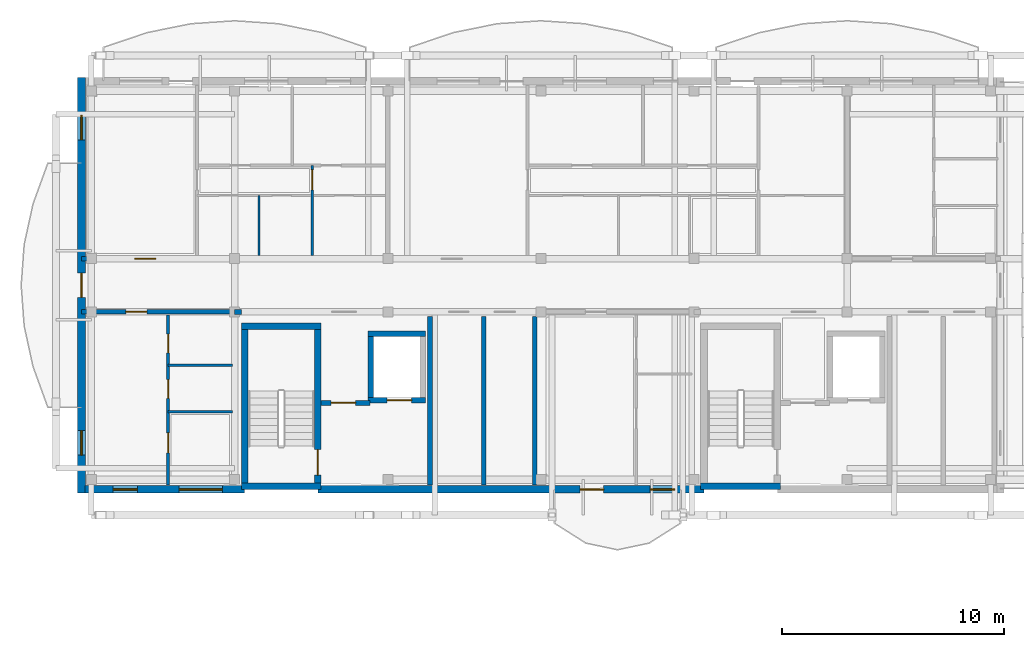
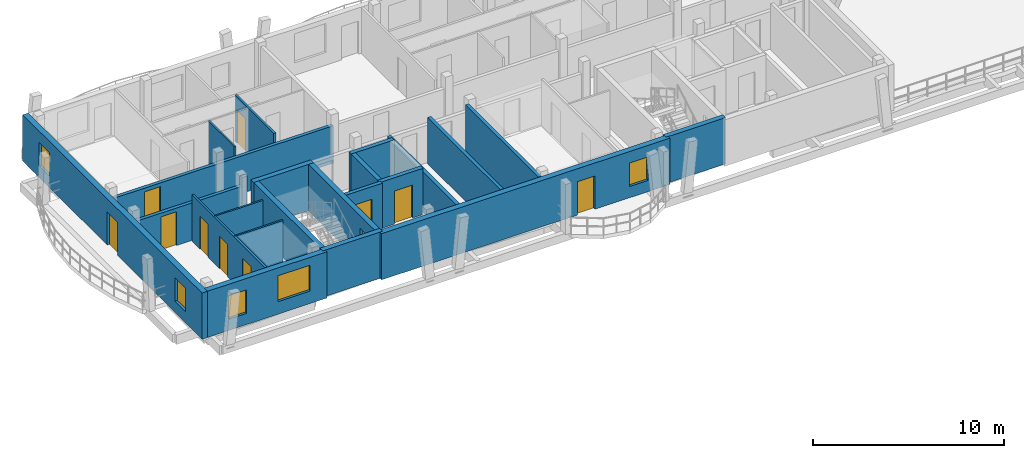
# One storey, part 20 of 42: 23 walls, 11 doors, 5 windows, 16 openings.
"""IFC4 building model written with IfcOpenShell, lengths in metres."""

from ifc_helpers import new_model, si_unit, direction, frame, frame_2d, origin, origin_with_axes, place, context, subcontext, project, spatial, rectangle, extrude, material, layer, layer_set, type_object, element, fill, save


model = new_model("IFC4")

# Units and contexts
model_context = context("Model", 3, precision=1e-05, world=origin(), true_north=direction((0.0, 1.0)))
body_context = subcontext(model_context, "Body", "Model", "MODEL_VIEW")
ifc_project = project(units=[si_unit("LENGTHUNIT", "METRE"), si_unit("AREAUNIT", "SQUARE_METRE"), si_unit("VOLUMEUNIT", "CUBIC_METRE"), si_unit("PLANEANGLEUNIT", "RADIAN"), si_unit("MASSUNIT", "GRAM", prefix="KILO")], contexts=[model_context])

# Site, building, storey
site_placement = place(None, origin())
site = spatial("IfcSite", under=ifc_project, at=site_placement, CompositionType="ELEMENT")
building_placement = place(site_placement, origin())
building = spatial("IfcBuilding", under=site, at=building_placement, Name="Zavelmont Quarter", CompositionType="ELEMENT")
storey_placement = place(building_placement, frame((0.0, 0.0, 24.0)))
storey = spatial("IfcBuildingStorey", under=building, at=storey_placement, Name="L07", CompositionType="ELEMENT", Elevation=24.0)

# Wall, openings, windows
ifc_material_1 = material(Name="Natural Belgian limestone", Category="masonry")
ifc_layer_1 = layer(ifc_material_1, 0.340087890625)
ifc_layer_set_1 = layer_set([ifc_layer_1], Name="Natural Belgian limestone")
wall_type_1 = type_object("IfcWallType", Name="EW03", PredefinedType="STANDARD", material=ifc_layer_set_1)
wall_1_placement = place(storey_placement, frame((0.159912109375, 97.60009765625, 0.0), z_axis=(0.0, 0.0, 1.0), x_axis=(1.0, 0.0, 0.0)))
wall_1 = element("IfcWall", 1, at=wall_1_placement, inside=storey, type_object=wall_type_1, Name="L07 exterior limestone wall EW03", PredefinedType="STANDARD", context=body_context, shape_type="SweptSolid", body=[
    extrude(rectangle(XDim=7.190185546875, YDim=0.340087890625, at=frame_2d((3.59521484375, 0.0))), origin(), (0.0, 0.0, 1.0), 2.949951171875),
])
opening_1_placement = place(wall_1_placement, frame((1.260009765625, 0.0, 0.719970703125)))
opening_1 = element("IfcOpeningElement", 2, at=opening_1_placement, cuts=wall_1, Name="Opening WN09", PredefinedType="OPENING", context=body_context, shape_type="SweptSolid", body=[
    extrude(rectangle(XDim=1.10009765625, YDim=1.5, at=frame_2d((0.550048828125, 0.75))), frame((0.0, 0.18212890625, 0.0), z_axis=(0.0, -1.0, 0.0), x_axis=(1.0, 0.0, 0.0)), (0.0, 0.0, 1.0), 0.364013671875),
])
opening_2_placement = place(wall_1_placement, frame((4.235107421875, 0.0, 0.800048828125)))
opening_2 = element("IfcOpeningElement", 3, at=opening_2_placement, cuts=wall_1, Name="Opening WN24", PredefinedType="OPENING", context=body_context, shape_type="SweptSolid", body=[
    extrude(rectangle(XDim=1.949951171875, YDim=1.64990234375, at=frame_2d((0.97509765625, 0.824951171875))), frame((0.0, 0.18212890625, 0.0), z_axis=(0.0, -1.0, 0.0), x_axis=(1.0, 0.0, 0.0)), (0.0, 0.0, 1.0), 0.364013671875),
])
ifc_material_2 = material(Name="Double low-E insulated glazing in thermally broken aluminium frame", Category="aluminium")
window_type_1 = type_object("IfcWindowType", Name="WN09", PartitioningType="SINGLE_PANEL", PredefinedType="WINDOW", material=ifc_material_2)
window_1_placement = place(opening_1_placement, origin_with_axes())
window_1 = element("IfcWindow", 4, at=window_1_placement, inside=storey, type_object=window_type_1, Name="L07 window WN09", OverallHeight=1.5, OverallWidth=1.10009765625, PartitioningType="SINGLE_PANEL", PredefinedType="WINDOW", context=body_context, shape_type="SweptSolid", body=[
    extrude(rectangle(XDim=1.10009765625, YDim=1.5, at=frame_2d((0.550048828125, 0.75))), frame((0.0, 0.030029296875, 0.0), z_axis=(0.0, -1.0, 0.0), x_axis=(1.0, 0.0, 0.0)), (0.0, 0.0, 1.0), 0.06005859375),
])
fill(opening_1, window_1)
window_type_2 = type_object("IfcWindowType", Name="WN24", PartitioningType="SINGLE_PANEL", PredefinedType="WINDOW", material=ifc_material_2)
window_2_placement = place(opening_2_placement, origin_with_axes())
window_2 = element("IfcWindow", 5, at=window_2_placement, inside=storey, type_object=window_type_2, Name="L07 window WN24", OverallHeight=1.64990234375, OverallWidth=1.949951171875, PartitioningType="SINGLE_PANEL", PredefinedType="WINDOW", context=body_context, shape_type="SweptSolid", body=[
    extrude(rectangle(XDim=1.949951171875, YDim=1.64990234375, at=frame_2d((0.97509765625, 0.824951171875))), frame((0.0, 0.030029296875, 0.0), z_axis=(0.0, -1.0, 0.0), x_axis=(1.0, 0.0, 0.0)), (0.0, 0.0, 1.0), 0.06005859375),
])
fill(opening_2, window_2)

# Wall, openings, door, window
wall_2_placement = place(storey_placement, frame((10.64990234375, 97.60009765625, 0.0), z_axis=(0.0, 0.0, 1.0), x_axis=(1.0, 0.0, 0.0)))
wall_2 = element("IfcWall", 6, at=wall_2_placement, inside=storey, type_object=wall_type_1, Name="L07 exterior limestone wall EW03", PredefinedType="STANDARD", context=body_context, shape_type="SweptSolid", body=[
    extrude(rectangle(XDim=17.400146484375, YDim=0.340087890625, at=frame_2d((8.7001953125, 0.0))), origin(), (0.0, 0.0, 1.0), 2.949951171875),
])
opening_3_placement = place(wall_2_placement, frame((11.820068359375, 0.0, 0.0)))
opening_3 = element("IfcOpeningElement", 7, at=opening_3_placement, cuts=wall_2, Name="Opening DR04A", PredefinedType="OPENING", context=body_context, shape_type="SweptSolid", body=[
    extrude(rectangle(XDim=1.050048828125, YDim=2.1201171875, at=frame_2d((0.52490234375, 1.06005859375))), frame((0.0, 0.18212890625, 0.0), z_axis=(0.0, -1.0, 0.0), x_axis=(1.0, 0.0, 0.0)), (0.0, 0.0, 1.0), 0.364013671875),
])
opening_4_placement = place(wall_2_placement, frame((14.969970703125, 0.0, 0.719970703125)))
opening_4 = element("IfcOpeningElement", 8, at=opening_4_placement, cuts=wall_2, Name="Opening WN09", PredefinedType="OPENING", context=body_context, shape_type="SweptSolid", body=[
    extrude(rectangle(XDim=1.10009765625, YDim=1.5, at=frame_2d((0.550048828125, 0.75))), frame((0.0, 0.18212890625, 0.0), z_axis=(0.0, -1.0, 0.0), x_axis=(1.0, 0.0, 0.0)), (0.0, 0.0, 1.0), 0.364013671875),
])
ifc_material_3 = material(Name="Thermally broken aluminium and double safety glass", Category="aluminium")
door_type_1 = type_object("IfcDoorType", Name="DR04A", OperationType="NOTDEFINED", PredefinedType="DOOR", material=ifc_material_3)
door_1_placement = place(opening_3_placement, origin_with_axes())
door_1 = element("IfcDoor", 9, at=door_1_placement, inside=storey, type_object=door_type_1, Name="Block B L07 glazed balcony door", OperationType="SINGLE_SWING_RIGHT", OverallHeight=2.1201171875, OverallWidth=1.050048828125, PredefinedType="DOOR", context=body_context, shape_type="SweptSolid", body=[
    extrude(rectangle(XDim=1.050048828125, YDim=2.1201171875, at=frame_2d((0.52490234375, 1.06005859375))), frame((0.0, 0.02490234375, 0.0), z_axis=(0.0, -1.0, 0.0), x_axis=(1.0, 0.0, 0.0)), (0.0, 0.0, 1.0), 0.050048828125),
])
fill(opening_3, door_1)
window_3_placement = place(opening_4_placement, origin_with_axes())
window_3 = element("IfcWindow", 10, at=window_3_placement, inside=storey, type_object=window_type_1, Name="L07 window WN09", OverallHeight=1.5, OverallWidth=1.10009765625, PartitioningType="SINGLE_PANEL", PredefinedType="WINDOW", context=body_context, shape_type="SweptSolid", body=[
    extrude(rectangle(XDim=1.10009765625, YDim=1.5, at=frame_2d((0.550048828125, 0.75))), frame((0.0, 0.030029296875, 0.0), z_axis=(0.0, -1.0, 0.0), x_axis=(1.0, 0.0, 0.0)), (0.0, 0.0, 1.0), 0.06005859375),
])
fill(opening_4, window_3)

# Wall, openings, door, windows
wall_3_placement = place(storey_placement, frame((0.0, 97.429931640625, 0.0), z_axis=(0.0, 0.0, 1.0), x_axis=(0.0, 1.0, 0.0)))
wall_3 = element("IfcWall", 11, at=wall_3_placement, inside=storey, type_object=wall_type_1, Name="L07 exterior limestone wall EW03", PredefinedType="STANDARD", context=body_context, shape_type="SweptSolid", body=[
    extrude(rectangle(XDim=18.739990234375, YDim=0.340087890625, at=frame_2d((9.3701171875, 0.0))), origin(), (0.0, 0.0, 1.0), 2.949951171875),
])
opening_5_placement = place(wall_3_placement, frame((8.820068359375, 0.0, 0.0)))
opening_5 = element("IfcOpeningElement", 12, at=opening_5_placement, cuts=wall_3, Name="Opening DR04B", PredefinedType="OPENING", context=body_context, shape_type="SweptSolid", body=[
    extrude(rectangle(XDim=1.10009765625, YDim=2.10009765625, at=frame_2d((0.550048828125, 1.050048828125))), frame((0.0, 0.18212890625, 0.0), z_axis=(0.0, -1.0, 0.0), x_axis=(1.0, 0.0, 0.0)), (0.0, 0.0, 1.0), 0.364013671875),
])
opening_6_placement = place(wall_3_placement, frame((1.719970703125, 0.0, 0.719970703125)))
opening_6 = element("IfcOpeningElement", 13, at=opening_6_placement, cuts=wall_3, Name="Opening WN09", PredefinedType="OPENING", context=body_context, shape_type="SweptSolid", body=[
    extrude(rectangle(XDim=1.10009765625, YDim=1.5, at=frame_2d((0.550048828125, 0.75))), frame((0.0, 0.18212890625, 0.0), z_axis=(0.0, -1.0, 0.0), x_axis=(1.0, 0.0, 0.0)), (0.0, 0.0, 1.0), 0.364013671875),
])
opening_7_placement = place(wall_3_placement, frame((15.919921875, 0.0, 0.719970703125)))
opening_7 = element("IfcOpeningElement", 14, at=opening_7_placement, cuts=wall_3, Name="Opening WN09", PredefinedType="OPENING", context=body_context, shape_type="SweptSolid", body=[
    extrude(rectangle(XDim=1.10009765625, YDim=1.5, at=frame_2d((0.550048828125, 0.75))), frame((0.0, 0.18212890625, 0.0), z_axis=(0.0, -1.0, 0.0), x_axis=(1.0, 0.0, 0.0)), (0.0, 0.0, 1.0), 0.364013671875),
])
door_type_2 = type_object("IfcDoorType", Name="DR04B", OperationType="NOTDEFINED", PredefinedType="DOOR", material=ifc_material_3)
door_2_placement = place(opening_5_placement, frame((1.10009765625, 0.0, 0.0), z_axis=(0.0, 0.0, 1.0), x_axis=(-1.0, 0.0, 0.0)))
door_2 = element("IfcDoor", 15, at=door_2_placement, inside=storey, type_object=door_type_2, Name="Block B L07 terrace or vase balcony door", OperationType="SINGLE_SWING_RIGHT", OverallHeight=2.10009765625, OverallWidth=1.10009765625, PredefinedType="DOOR", context=body_context, shape_type="SweptSolid", body=[
    extrude(rectangle(XDim=1.10009765625, YDim=2.10009765625, at=frame_2d((0.550048828125, 1.050048828125))), frame((0.0, 0.02490234375, 0.0), z_axis=(0.0, -1.0, 0.0), x_axis=(1.0, 0.0, 0.0)), (0.0, 0.0, 1.0), 0.050048828125),
])
fill(opening_5, door_2)
window_4_placement = place(opening_6_placement, origin_with_axes())
window_4 = element("IfcWindow", 16, at=window_4_placement, inside=storey, type_object=window_type_1, Name="L07 window WN09", OverallHeight=1.5, OverallWidth=1.10009765625, PartitioningType="SINGLE_PANEL", PredefinedType="WINDOW", context=body_context, shape_type="SweptSolid", body=[
    extrude(rectangle(XDim=1.10009765625, YDim=1.5, at=frame_2d((0.550048828125, 0.75))), frame((0.0, 0.030029296875, 0.0), z_axis=(0.0, -1.0, 0.0), x_axis=(1.0, 0.0, 0.0)), (0.0, 0.0, 1.0), 0.06005859375),
])
fill(opening_6, window_4)
window_5_placement = place(opening_7_placement, origin_with_axes())
window_5 = element("IfcWindow", 17, at=window_5_placement, inside=storey, type_object=window_type_1, Name="L07 window WN09", OverallHeight=1.5, OverallWidth=1.10009765625, PartitioningType="SINGLE_PANEL", PredefinedType="WINDOW", context=body_context, shape_type="SweptSolid", body=[
    extrude(rectangle(XDim=1.10009765625, YDim=1.5, at=frame_2d((0.550048828125, 0.75))), frame((0.0, 0.030029296875, 0.0), z_axis=(0.0, -1.0, 0.0), x_axis=(1.0, 0.0, 0.0)), (0.0, 0.0, 1.0), 0.06005859375),
])
fill(opening_7, window_5)

# Walls
ifc_material_4 = material(Name="Calcium-silicate blockwork and acoustic plaster", Category="masonry")
ifc_layer_2 = layer(ifc_material_4, 0.199951171875)
ifc_layer_set_2 = layer_set([ifc_layer_2], Name="Calcium-silicate blockwork and acoustic plaster")
wall_type_2 = type_object("IfcWallType", Name="IW01", PredefinedType="PARTITIONING", material=ifc_layer_set_2)
for number, where, z_axis, x_axis, name in (
    (18, (18.125, 97.800048828125, 0.0), (0.0, 0.0, 1.0), (0.0, 1.0, 0.0), "L07 Service riser divider wall IW01"),
    (19, (20.419921875, 97.800048828125, 0.0), (0.0, 0.0, 1.0), (0.0, 1.0, 0.0), "L07 Core service end wall IW01"),
):
    element("IfcWall", number, at=place(storey_placement, frame(where, z_axis=z_axis, x_axis=x_axis)), inside=storey, type_object=wall_type_2, Name=name, PredefinedType="PARTITIONING", context=body_context, shape_type="SweptSolid", body=[
        extrude(rectangle(XDim=7.599853515625, YDim=0.199951171875, at=frame_2d((3.7998046875, 0.0))), origin(), (0.0, 0.0, 1.0), 2.949951171875),
    ])

# Wall, opening, door
wall_4_placement = place(storey_placement, frame((0.0, 108.0, 0.0), z_axis=(0.0, 0.0, 1.0), x_axis=(1.0, 0.0, 0.0)))
wall_4 = element("IfcWall", 20, at=wall_4_placement, inside=storey, type_object=wall_type_2, Name="L07 Corridor compartment wall IW01", PredefinedType="PARTITIONING", context=body_context, shape_type="SweptSolid", body=[
    extrude(rectangle(XDim=13.800048828125, YDim=0.199951171875, at=frame_2d((6.89990234375, 0.0))), origin(), (0.0, 0.0, 1.0), 2.389892578125),
])
opening_8_placement = place(wall_4_placement, frame((2.39990234375, 0.0, 0.0)))
opening_8 = element("IfcOpeningElement", 21, at=opening_8_placement, cuts=wall_4, Name="Opening DR02", PredefinedType="OPENING", context=body_context, shape_type="SweptSolid", body=[
    extrude(rectangle(XDim=0.949951171875, YDim=2.14990234375, at=frame_2d((0.47509765625, 1.074951171875))), frame((0.0, 0.11181640625, 0.0), z_axis=(0.0, -1.0, 0.0), x_axis=(1.0, 0.0, 0.0)), (0.0, 0.0, 1.0), 0.223876953125),
])
ifc_material_5 = material(Name="Solid-core oak fire leaf in steel frame", Category="steel")
door_type_3 = type_object("IfcDoorType", Name="DR02", OperationType="NOTDEFINED", PredefinedType="DOOR", material=ifc_material_5)
door_3_placement = place(opening_8_placement, origin_with_axes())
door_3 = element("IfcDoor", 22, at=door_3_placement, inside=storey, type_object=door_type_3, Name="L07 door DR02", OperationType="SINGLE_SWING_LEFT", OverallHeight=2.14990234375, OverallWidth=0.949951171875, PredefinedType="DOOR", context=body_context, shape_type="SweptSolid", body=[
    extrude(rectangle(XDim=0.949951171875, YDim=2.14990234375, at=frame_2d((0.47509765625, 1.074951171875))), frame((0.0, 0.02490234375, 0.0), z_axis=(0.0, -1.0, 0.0), x_axis=(1.0, 0.0, 0.0)), (0.0, 0.0, 1.0), 0.050048828125),
])
fill(opening_8, door_3)

wall_5_placement = place(storey_placement, frame((0.0, 105.60009765625, 0.0), z_axis=(0.0, 0.0, 1.0), x_axis=(1.0, 0.0, 0.0)))
wall_5 = element("IfcWall", 23, at=wall_5_placement, inside=storey, type_object=wall_type_2, Name="L07 Corridor compartment wall IW01", PredefinedType="PARTITIONING", context=body_context, shape_type="SweptSolid", body=[
    extrude(rectangle(XDim=6.89990234375, YDim=0.199951171875, at=frame_2d((3.449951171875, 0.0))), origin(), (0.0, 0.0, 1.0), 2.389892578125),
])
opening_9_placement = place(wall_5_placement, frame((2.0, 0.0, 0.0)))
opening_9 = element("IfcOpeningElement", 24, at=opening_9_placement, cuts=wall_5, Name="Opening DR02", PredefinedType="OPENING", context=body_context, shape_type="SweptSolid", body=[
    extrude(rectangle(XDim=0.949951171875, YDim=2.14990234375, at=frame_2d((0.47509765625, 1.074951171875))), frame((0.0, 0.11181640625, 0.0), z_axis=(0.0, -1.0, 0.0), x_axis=(1.0, 0.0, 0.0)), (0.0, 0.0, 1.0), 0.223876953125),
])
door_4_placement = place(opening_9_placement, frame((0.949951171875, 0.0, 0.0), z_axis=(0.0, 0.0, 1.0), x_axis=(-1.0, 0.0, 0.0)))
door_4 = element("IfcDoor", 25, at=door_4_placement, inside=storey, type_object=door_type_3, Name="L07 door DR02", OperationType="SINGLE_SWING_RIGHT", OverallHeight=2.14990234375, OverallWidth=0.949951171875, PredefinedType="DOOR", context=body_context, shape_type="SweptSolid", body=[
    extrude(rectangle(XDim=0.949951171875, YDim=2.14990234375, at=frame_2d((0.47509765625, 1.074951171875))), frame((0.0, 0.02490234375, 0.0), z_axis=(0.0, -1.0, 0.0), x_axis=(1.0, 0.0, 0.0)), (0.0, 0.0, 1.0), 0.050048828125),
])
fill(opening_9, door_4)

# Wall
ifc_material_6 = material(Name="Reinforced masonry fire compartment wall", Category="masonry")
ifc_layer_3 = layer(ifc_material_6, 0.22509765625)
ifc_layer_set_3 = layer_set([ifc_layer_3], Name="Reinforced masonry fire compartment wall")
wall_type_3 = type_object("IfcWallType", Name="IW02", PredefinedType="PARTITIONING", material=ifc_layer_set_3)
wall_6_placement = place(storey_placement, frame((15.7099609375, 97.800048828125, 0.0), z_axis=(0.0, 0.0, 1.0), x_axis=(0.0, 1.0, 0.0)))
element("IfcWall", 26, at=wall_6_placement, inside=storey, type_object=wall_type_3, Name="L07 Firefighting lobby enclosure wall IW02", PredefinedType="PARTITIONING", context=body_context, shape_type="SweptSolid", body=[
    extrude(rectangle(XDim=7.599853515625, YDim=0.22509765625, at=frame_2d((3.7998046875, 0.0))), origin(), (0.0, 0.0, 1.0), 2.590087890625),
])

# Wall, opening, door
wall_7_placement = place(storey_placement, frame((10.800048828125, 101.5, 0.0), z_axis=(0.0, 0.0, 1.0), x_axis=(1.0, 0.0, 0.0)))
wall_7 = element("IfcWall", 27, at=wall_7_placement, inside=storey, type_object=wall_type_3, Name="L07 Firefighting lobby threshold wall IW02", PredefinedType="PARTITIONING", context=body_context, shape_type="SweptSolid", body=[
    extrude(rectangle(XDim=2.199951171875, YDim=0.22509765625, at=frame_2d((1.10009765625, 0.0))), origin(), (0.0, 0.0, 1.0), 2.949951171875),
])
opening_10_placement = place(wall_7_placement, frame((0.449951171875, 0.0, 0.0)))
opening_10 = element("IfcOpeningElement", 28, at=opening_10_placement, cuts=wall_7, Name="Opening DR10", PredefinedType="OPENING", context=body_context, shape_type="SweptSolid", body=[
    extrude(rectangle(XDim=1.10009765625, YDim=2.14990234375, at=frame_2d((0.550048828125, 1.074951171875))), frame((0.0, 0.12451171875, 0.0), z_axis=(0.0, -1.0, 0.0), x_axis=(1.0, 0.0, 0.0)), (0.0, 0.0, 1.0), 0.2490234375),
])
ifc_material_7 = material(Name="Painted steel lobby fire door", Category="steel")
door_type_4 = type_object("IfcDoorType", Name="DR10", OperationType="NOTDEFINED", PredefinedType="DOOR", material=ifc_material_7)
door_5_placement = place(opening_10_placement, frame((1.10009765625, 0.0, 0.0), z_axis=(0.0, 0.0, 1.0), x_axis=(-1.0, 0.0, 0.0)))
door_5 = element("IfcDoor", 29, at=door_5_placement, inside=storey, type_object=door_type_4, Name="Firefighting lobby fire door", OperationType="SINGLE_SWING_LEFT", OverallHeight=2.14990234375, OverallWidth=1.10009765625, PredefinedType="DOOR", context=body_context, shape_type="SweptSolid", body=[
    extrude(rectangle(XDim=1.10009765625, YDim=2.14990234375, at=frame_2d((0.550048828125, 1.074951171875))), frame((0.0, 0.02490234375, 0.0), z_axis=(0.0, -1.0, 0.0), x_axis=(1.0, 0.0, 0.0)), (0.0, 0.0, 1.0), 0.050048828125),
])
fill(opening_10, door_5)

# Wall
wall_8_placement = place(storey_placement, frame((6.89990234375, 105.60009765625, 0.0), z_axis=(0.0, 0.0, 1.0), x_axis=(1.0, 0.0, 0.0)))
element("IfcWall", 30, at=wall_8_placement, inside=storey, type_object=wall_type_3, Name="L07 Core corridor wall IW02", PredefinedType="PARTITIONING", context=body_context, shape_type="SweptSolid", body=[
    extrude(rectangle(XDim=0.300048828125, YDim=0.22509765625, at=frame_2d((0.14990234375, 0.0))), origin(), (0.0, 0.0, 1.0), 2.949951171875),
])

# Wall, opening, door
ifc_material_8 = material(Name="Double gypsum board on acoustic steel stud", Category="steel")
ifc_layer_4 = layer(ifc_material_8, 0.125)
ifc_layer_set_4 = layer_set([ifc_layer_4], Name="Double gypsum board on acoustic steel stud")
wall_type_4 = type_object("IfcWallType", Name="IW03", PredefinedType="PARTITIONING", material=ifc_layer_set_4)
wall_9_placement = place(storey_placement, frame((10.39990234375, 108.14990234375, 0.0), z_axis=(0.0, 0.0, 1.0), x_axis=(0.0, 1.0, 0.0)))
wall_9 = element("IfcWall", 31, at=wall_9_placement, inside=storey, type_object=wall_type_4, Name="L07 Partition IW03", PredefinedType="PARTITIONING", context=body_context, shape_type="SweptSolid", body=[
    extrude(rectangle(XDim=4.050048828125, YDim=0.125, at=frame_2d((2.02490234375, 0.0))), origin(), (0.0, 0.0, 1.0), 2.949951171875),
])
opening_11_placement = place(wall_9_placement, frame((2.949951171875, 0.0, 0.0)))
opening_11 = element("IfcOpeningElement", 32, at=opening_11_placement, cuts=wall_9, Name="Opening DR05", PredefinedType="OPENING", context=body_context, shape_type="SweptSolid", body=[
    extrude(rectangle(XDim=0.89990234375, YDim=2.10009765625, at=frame_2d((0.449951171875, 1.050048828125))), frame((0.0, 0.074462890625, 0.0), z_axis=(0.0, -1.0, 0.0), x_axis=(1.0, 0.0, 0.0)), (0.0, 0.0, 1.0), 0.14892578125),
])
ifc_material_9 = material(Name="Engineered oak flush interior door")
door_type_5 = type_object("IfcDoorType", Name="DR05", OperationType="NOTDEFINED", PredefinedType="DOOR", material=ifc_material_9)
door_6_placement = place(opening_11_placement, origin_with_axes())
door_6 = element("IfcDoor", 33, at=door_6_placement, inside=storey, type_object=door_type_5, Name="L07 door DR05", OperationType="SINGLE_SWING_RIGHT", OverallHeight=2.10009765625, OverallWidth=0.89990234375, PredefinedType="DOOR", context=body_context, shape_type="SweptSolid", body=[
    extrude(rectangle(XDim=0.89990234375, YDim=2.10009765625, at=frame_2d((0.449951171875, 1.050048828125))), frame((0.0, 0.02490234375, 0.0), z_axis=(0.0, -1.0, 0.0), x_axis=(1.0, 0.0, 0.0)), (0.0, 0.0, 1.0), 0.050048828125),
])
fill(opening_11, door_6)

# Wall, openings, doors
wall_10_placement = place(storey_placement, frame((3.89990234375, 105.449951171875, 0.0), z_axis=(0.0, 0.0, 1.0), x_axis=(0.0, -1.0, 0.0)))
wall_10 = element("IfcWall", 34, at=wall_10_placement, inside=storey, type_object=wall_type_4, Name="L07 Partition IW03", PredefinedType="PARTITIONING", context=body_context, shape_type="SweptSolid", body=[
    extrude(rectangle(XDim=7.64990234375, YDim=0.125, at=frame_2d((3.824951171875, 0.0))), origin(), (0.0, 0.0, 1.0), 2.949951171875),
])
opening_12_placement = place(wall_10_placement, frame((0.85009765625, 0.0, 0.0)))
opening_12 = element("IfcOpeningElement", 35, at=opening_12_placement, cuts=wall_10, Name="Opening DR16", PredefinedType="OPENING", context=body_context, shape_type="SweptSolid", body=[
    extrude(rectangle(XDim=0.85009765625, YDim=2.10009765625, at=frame_2d((0.425048828125, 1.050048828125))), frame((0.0, 0.074462890625, 0.0), z_axis=(0.0, -1.0, 0.0), x_axis=(1.0, 0.0, 0.0)), (0.0, 0.0, 1.0), 0.14892578125),
])
opening_13_placement = place(wall_10_placement, frame((2.89990234375, 0.0, 0.0)))
opening_13 = element("IfcOpeningElement", 36, at=opening_13_placement, cuts=wall_10, Name="Opening DR06", PredefinedType="OPENING", context=body_context, shape_type="SweptSolid", body=[
    extrude(rectangle(XDim=0.85009765625, YDim=2.050048828125, at=frame_2d((0.425048828125, 1.02490234375))), frame((0.0, 0.074462890625, 0.0), z_axis=(0.0, -1.0, 0.0), x_axis=(1.0, 0.0, 0.0)), (0.0, 0.0, 1.0), 0.14892578125),
])
opening_14_placement = place(wall_10_placement, frame((5.300048828125, 0.0, 0.0)))
opening_14 = element("IfcOpeningElement", 37, at=opening_14_placement, cuts=wall_10, Name="Opening DR05", PredefinedType="OPENING", context=body_context, shape_type="SweptSolid", body=[
    extrude(rectangle(XDim=0.89990234375, YDim=2.10009765625, at=frame_2d((0.449951171875, 1.050048828125))), frame((0.0, 0.074462890625, 0.0), z_axis=(0.0, -1.0, 0.0), x_axis=(1.0, 0.0, 0.0)), (0.0, 0.0, 1.0), 0.14892578125),
])
door_7_placement = place(opening_14_placement, origin_with_axes())
door_7 = element("IfcDoor", 38, at=door_7_placement, inside=storey, type_object=door_type_5, Name="L07 door DR05", OperationType="SINGLE_SWING_RIGHT", OverallHeight=2.10009765625, OverallWidth=0.89990234375, PredefinedType="DOOR", context=body_context, shape_type="SweptSolid", body=[
    extrude(rectangle(XDim=0.89990234375, YDim=2.10009765625, at=frame_2d((0.449951171875, 1.050048828125))), frame((0.0, 0.02490234375, 0.0), z_axis=(0.0, -1.0, 0.0), x_axis=(1.0, 0.0, 0.0)), (0.0, 0.0, 1.0), 0.050048828125),
])
fill(opening_14, door_7)
ifc_material_10 = material(Name="Moisture-resistant painted wet-room door")
door_type_6 = type_object("IfcDoorType", Name="DR06", OperationType="NOTDEFINED", PredefinedType="DOOR", material=ifc_material_10)
door_8_placement = place(opening_13_placement, frame((0.85009765625, 0.0, 0.0), z_axis=(0.0, 0.0, 1.0), x_axis=(-1.0, 0.0, 0.0)))
door_8 = element("IfcDoor", 39, at=door_8_placement, inside=storey, type_object=door_type_6, Name="L07 door DR06", OperationType="SINGLE_SWING_LEFT", OverallHeight=2.050048828125, OverallWidth=0.85009765625, PredefinedType="DOOR", context=body_context, shape_type="SweptSolid", body=[
    extrude(rectangle(XDim=0.85009765625, YDim=2.050048828125, at=frame_2d((0.425048828125, 1.02490234375))), frame((0.0, 0.02490234375, 0.0), z_axis=(0.0, -1.0, 0.0), x_axis=(1.0, 0.0, 0.0)), (0.0, 0.0, 1.0), 0.050048828125),
])
fill(opening_13, door_8)
door_type_7 = type_object("IfcDoorType", Name="DR16", OperationType="NOTDEFINED", PredefinedType="DOOR", material=ifc_material_9)
door_9_placement = place(opening_12_placement, origin_with_axes())
door_9 = element("IfcDoor", 40, at=door_9_placement, inside=storey, type_object=door_type_7, Name="L07 door DR16", OperationType="SINGLE_SWING_RIGHT", OverallHeight=2.10009765625, OverallWidth=0.85009765625, PredefinedType="DOOR", context=body_context, shape_type="SweptSolid", body=[
    extrude(rectangle(XDim=0.85009765625, YDim=2.10009765625, at=frame_2d((0.425048828125, 1.050048828125))), frame((0.0, 0.02490234375, 0.0), z_axis=(0.0, -1.0, 0.0), x_axis=(1.0, 0.0, 0.0)), (0.0, 0.0, 1.0), 0.050048828125),
])
fill(opening_12, door_9)

# Walls
ifc_material_11 = material(Name="Moisture-resistant gypsum board on steel stud", Category="steel")
ifc_layer_5 = layer(ifc_material_11, 0.10009765625)
ifc_layer_set_5 = layer_set([ifc_layer_5], Name="Moisture-resistant gypsum board on steel stud")
wall_type_5 = type_object("IfcWallType", Name="IW04", PredefinedType="PARTITIONING", material=ifc_layer_set_5)
wall_11_placement = place(storey_placement, frame((8.0, 108.14990234375, 0.0), z_axis=(0.0, 0.0, 1.0), x_axis=(0.0, 1.0, 0.0)))
element("IfcWall", 41, at=wall_11_placement, inside=storey, type_object=wall_type_5, Name="L07 Partition IW04", PredefinedType="PARTITIONING", context=body_context, shape_type="SweptSolid", body=[
    extrude(rectangle(XDim=2.7001953125, YDim=0.10009765625, at=frame_2d((1.35009765625, 0.0))), origin(), (0.0, 0.0, 1.0), 2.949951171875),
])
for number, where, z_axis, x_axis, name in (
    (42, (3.89990234375, 103.199951171875, 0.0), (0.0, 0.0, 1.0), (1.0, 0.0, 0.0), "L07 Partition IW04"),
    (43, (3.89990234375, 101.10009765625, 0.0), (0.0, 0.0, 1.0), (1.0, 0.0, 0.0), "L07 Partition IW04"),
):
    element("IfcWall", number, at=place(storey_placement, frame(where, z_axis=z_axis, x_axis=x_axis)), inside=storey, type_object=wall_type_5, Name=name, PredefinedType="PARTITIONING", context=body_context, shape_type="SweptSolid", body=[
        extrude(rectangle(XDim=2.900146484375, YDim=0.10009765625, at=frame_2d((1.4501953125, 0.0))), origin(), (0.0, 0.0, 1.0), 2.949951171875),
    ])
ifc_material_12 = material(Name="Concrete C40/50", Category="concrete")
ifc_layer_6 = layer(ifc_material_12, 0.300048828125)
ifc_layer_set_6 = layer_set([ifc_layer_6], Name="Concrete C40/50")
wall_type_6 = type_object("IfcWallType", Name="SW01", PredefinedType="SHEAR", material=ifc_layer_set_6)
wall_12_placement = place(storey_placement, frame((7.199951171875, 104.949951171875, 0.0), z_axis=(0.0, 0.0, 1.0), x_axis=(1.0, 0.0, 0.0)))
element("IfcWall", 44, at=wall_12_placement, inside=storey, type_object=wall_type_6, Name="L07 ST03 corridor shear wall SW01", PredefinedType="SHEAR", context=body_context, shape_type="SweptSolid", body=[
    extrude(rectangle(XDim=3.60009765625, YDim=0.300048828125, at=frame_2d((1.800048828125, 0.0))), origin(), (0.0, 0.0, 1.0), 2.949951171875),
])
wall_13_placement = place(storey_placement, frame((7.35009765625, 97.60009765625, 0.0), z_axis=(0.0, 0.0, 1.0), x_axis=(0.0, 1.0, 0.0)))
element("IfcWall", 45, at=wall_13_placement, inside=storey, type_object=wall_type_6, Name="L07 ST03 west shear wall SW01", PredefinedType="SHEAR", context=body_context, shape_type="SweptSolid", body=[
    extrude(rectangle(XDim=7.5, YDim=0.300048828125, at=frame_2d((3.75, 0.0))), origin(), (0.0, 0.0, 1.0), 2.949951171875),
])

# Wall, opening, door
wall_14_placement = place(storey_placement, frame((10.64990234375, 97.60009765625, 0.0), z_axis=(0.0, 0.0, 1.0), x_axis=(0.0, 1.0, 0.0)))
wall_14 = element("IfcWall", 46, at=wall_14_placement, inside=storey, type_object=wall_type_6, Name="L07 ST03 lobby shear wall SW01", PredefinedType="SHEAR", context=body_context, shape_type="SweptSolid", body=[
    extrude(rectangle(XDim=7.5, YDim=0.300048828125, at=frame_2d((3.75, 0.0))), origin(), (0.0, 0.0, 1.0), 2.949951171875),
])
opening_15_placement = place(wall_14_placement, frame((0.64990234375, 0.0, 0.0)))
opening_15 = element("IfcOpeningElement", 47, at=opening_15_placement, cuts=wall_14, Name="Opening DR09", PredefinedType="OPENING", context=body_context, shape_type="SweptSolid", body=[
    extrude(rectangle(XDim=1.14990234375, YDim=2.14990234375, at=frame_2d((0.574951171875, 1.074951171875))), frame((0.0, 0.162109375, 0.0), z_axis=(0.0, -1.0, 0.0), x_axis=(1.0, 0.0, 0.0)), (0.0, 0.0, 1.0), 0.323974609375),
])
ifc_material_13 = material(Name="Painted steel stair-core fire door", Category="steel")
door_type_8 = type_object("IfcDoorType", Name="DR09", OperationType="NOTDEFINED", PredefinedType="DOOR", material=ifc_material_13)
door_10_placement = place(opening_15_placement, origin_with_axes())
door_10 = element("IfcDoor", 48, at=door_10_placement, inside=storey, type_object=door_type_8, Name="ST03 protected stair door", OperationType="SINGLE_SWING_RIGHT", OverallHeight=2.14990234375, OverallWidth=1.14990234375, PredefinedType="DOOR", context=body_context, shape_type="SweptSolid", body=[
    extrude(rectangle(XDim=1.14990234375, YDim=2.14990234375, at=frame_2d((0.574951171875, 1.074951171875))), frame((0.0, 0.02490234375, 0.0), z_axis=(0.0, -1.0, 0.0), x_axis=(1.0, 0.0, 0.0)), (0.0, 0.0, 1.0), 0.050048828125),
])
fill(opening_15, door_10)

ifc_layer_7 = layer(ifc_material_12, 0.25)
ifc_layer_set_7 = layer_set([ifc_layer_7], Name="Concrete C40/50")
wall_type_7 = type_object("IfcWallType", Name="SW02", PredefinedType="SHEAR", material=ifc_layer_set_7)
wall_15_placement = place(storey_placement, frame((12.89990234375, 101.625, 0.0), z_axis=(0.0, 0.0, 1.0), x_axis=(1.0, 0.0, 0.0)))
wall_15 = element("IfcWall", 49, at=wall_15_placement, inside=storey, type_object=wall_type_7, Name="L07 Lift FL02 landing shaft wall SW02", PredefinedType="SHEAR", context=body_context, shape_type="SweptSolid", body=[
    extrude(rectangle(XDim=2.60009765625, YDim=0.25, at=frame_2d((1.300048828125, 0.0))), origin(), (0.0, 0.0, 1.0), 2.949951171875),
])
opening_16_placement = place(wall_15_placement, frame((0.875, 0.0, 0.0)))
opening_16 = element("IfcOpeningElement", 50, at=opening_16_placement, cuts=wall_15, Name="Opening LD02", PredefinedType="OPENING", context=body_context, shape_type="SweptSolid", body=[
    extrude(rectangle(XDim=1.10009765625, YDim=2.10009765625, at=frame_2d((0.550048828125, 1.050048828125))), frame((0.0, 0.136962890625, 0.0), z_axis=(0.0, -1.0, 0.0), x_axis=(1.0, 0.0, 0.0)), (0.0, 0.0, 1.0), 0.27392578125),
])
ifc_material_14 = material(Name="Brushed stainless-steel firefighting lift landing door", Category="steel")
door_type_9 = type_object("IfcDoorType", Name="LD02", OperationType="SLIDING_TO_LEFT", PredefinedType="DOOR", material=ifc_material_14)
door_11_placement = place(opening_16_placement, origin_with_axes())
door_11 = element("IfcDoor", 51, at=door_11_placement, inside=storey, type_object=door_type_9, Name="Lift FL02 sliding landing door", OperationType="SLIDING_TO_LEFT", OverallHeight=2.10009765625, OverallWidth=1.10009765625, PredefinedType="DOOR", context=body_context, shape_type="SweptSolid", body=[
    extrude(rectangle(XDim=1.10009765625, YDim=2.10009765625, at=frame_2d((0.550048828125, 1.050048828125))), frame((0.0, 0.02490234375, 0.0), z_axis=(0.0, -1.0, 0.0), x_axis=(1.0, 0.0, 0.0)), (0.0, 0.0, 1.0), 0.050048828125),
])
fill(opening_16, door_11)

# Walls
wall_16_placement = place(storey_placement, frame((12.89990234375, 104.625, 0.0), z_axis=(0.0, 0.0, 1.0), x_axis=(1.0, 0.0, 0.0)))
element("IfcWall", 52, at=wall_16_placement, inside=storey, type_object=wall_type_7, Name="L07 Lift FL02 back shaft wall SW02", PredefinedType="SHEAR", context=body_context, shape_type="SweptSolid", body=[
    extrude(rectangle(XDim=2.60009765625, YDim=0.25, at=frame_2d((1.300048828125, 0.0))), origin(), (0.0, 0.0, 1.0), 2.949951171875),
])
wall_17_placement = place(storey_placement, frame((13.02490234375, 101.5, 0.0), z_axis=(0.0, 0.0, 1.0), x_axis=(0.0, 1.0, 0.0)))
element("IfcWall", 53, at=wall_17_placement, inside=storey, type_object=wall_type_7, Name="L07 Lift FL02 west shaft wall SW02", PredefinedType="SHEAR", context=body_context, shape_type="SweptSolid", body=[
    extrude(rectangle(XDim=3.25, YDim=0.25, at=frame_2d((1.625, 0.0))), origin(), (0.0, 0.0, 1.0), 2.949951171875),
])
ifc_layer_8 = layer(ifc_material_12, 0.300048828125)
ifc_layer_set_8 = layer_set([ifc_layer_8], Name="Concrete C40/50")
wall_type_8 = type_object("IfcWallType", Name="SW03", PredefinedType="SHEAR", material=ifc_layer_set_8)
for number, where, z_axis, x_axis, name in (
    (54, (7.199951171875, 97.75, 0.0), (0.0, 0.0, 1.0), (1.0, 0.0, 0.0), "L07 ST03 outer shear wall SW03"),
    (55, (27.89990234375, 97.75, 0.0), (0.0, 0.0, 1.0), (1.0, 0.0, 0.0), "L07 ST04 outer shear wall SW03"),
):
    element("IfcWall", number, at=place(storey_placement, frame(where, z_axis=z_axis, x_axis=x_axis)), inside=storey, type_object=wall_type_8, Name=name, PredefinedType="SHEAR", context=body_context, shape_type="SweptSolid", body=[
        extrude(rectangle(XDim=3.60009765625, YDim=0.300048828125, at=frame_2d((1.800048828125, 0.0))), origin(), (0.0, 0.0, 1.0), 2.949951171875),
    ])

save(model, "model.ifc")
